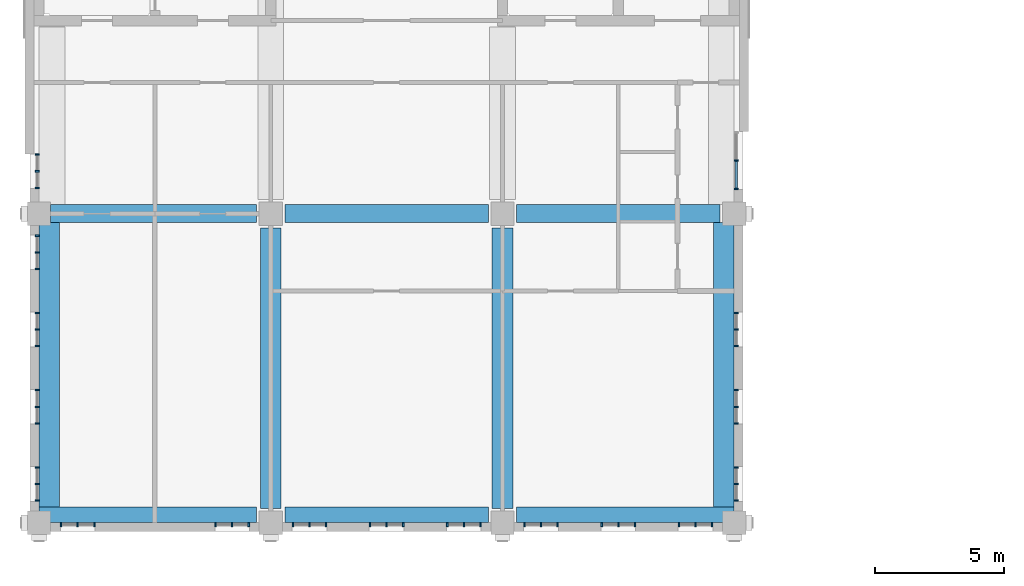
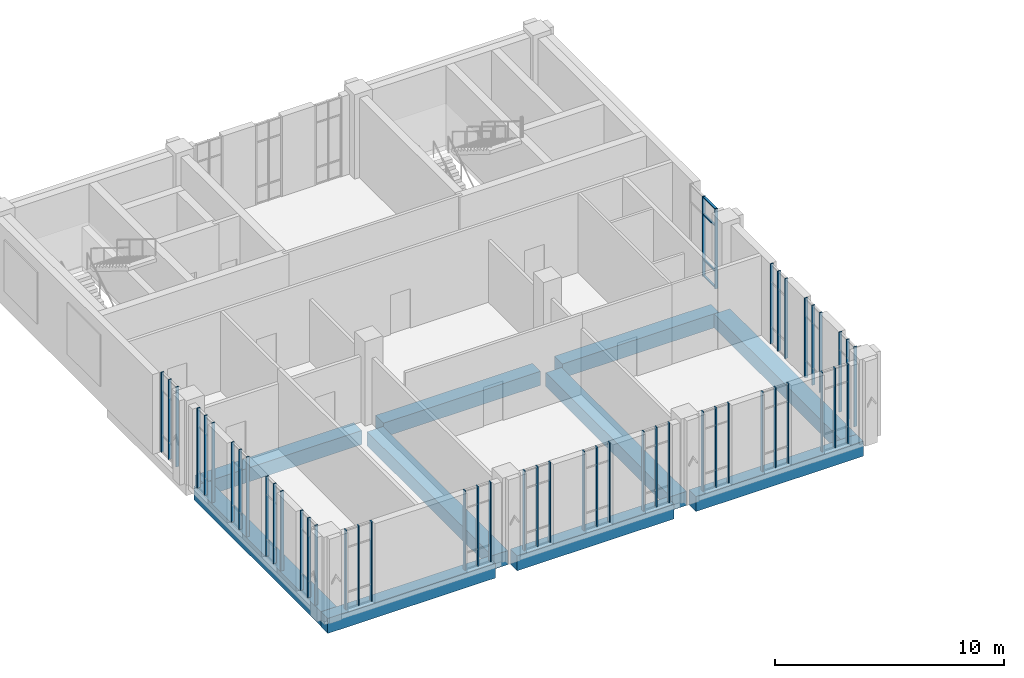
# One storey, part 4 of 25: 54 members, 10 beams, 17 elements without a shape of their own.
"""IFC4 building model written with IfcOpenShell, lengths in metres."""

import ifcopenshell
import ifcopenshell.guid

model = None  # the IFC model being written
_history = None  # IfcOwnerHistory: only IFC2X3 demands one
_inside = {}  # id of a spatial element -> (the spatial element, [elements in it])
_under = {}  # id of a project, library or spatial element -> (it, [spatial elements below it])
_declared = {}  # id of a project -> (the project, [libraries it declares])
_typed = {}  # id of a type object -> (the type object, [elements of that type])
_made_of = {}  # id of a material, layer set ... -> (it, [elements and type objects made of it])


def new_model(schema):
    """Start an empty IFC model of exactly this schema.

    Asked for "IFC4X3", IfcOpenShell would pick the latest addendum, in which some entities
    have other attributes; the version numbers below select the first issue.
    IFC2X3 requires an IfcOwnerHistory on every rooted entity: one is made here for all.
    """
    global model, _history
    if schema == "IFC4X3":
        model = ifcopenshell.file(schema_version=(4, 3, 0, 0))
    else:
        model = ifcopenshell.file(schema=schema)
    _inside.clear()
    _under.clear()
    _declared.clear()
    _typed.clear()
    _made_of.clear()
    _history = None
    if model.schema == "IFC2X3":
        org = make("IfcOrganization", Name="unknown")
        user = make(
            "IfcPersonAndOrganization",
            ThePerson=make("IfcPerson", FamilyName="unknown"),
            TheOrganization=org,
        )
        app = make(
            "IfcApplication",
            ApplicationDeveloper=org,
            Version="unknown",
            ApplicationFullName="unknown",
            ApplicationIdentifier="unknown",
        )
        _history = make(
            "IfcOwnerHistory",
            OwningUser=user,
            OwningApplication=app,
            ChangeAction="ADDED",
            CreationDate=0,
        )
    return model


def make(cls, **values):
    """One entity of the class cls with the attributes given. An attribute that is None is left unset."""
    return model.create_entity(
        cls, **{name: value for name, value in values.items() if value is not None}
    )


def rooted(cls, **values):
    """An entity with a GlobalId (a new one), such as an element, a storey or a relation."""
    return make(cls, GlobalId=ifcopenshell.guid.new(), OwnerHistory=_history, **values)


def si_unit(unit_type, name, prefix=None):
    """IfcSIUnit, for example si_unit("LENGTHUNIT", "METRE", prefix="MILLI")."""
    return make("IfcSIUnit", UnitType=unit_type, Prefix=prefix, Name=name)


def assignment(units):
    """IfcUnitAssignment: the units of a project."""
    return None if units is None else make("IfcUnitAssignment", Units=units)


def point(xyz):
    """IfcCartesianPoint."""
    return None if xyz is None else make("IfcCartesianPoint", Coordinates=xyz)


def direction(xyz):
    """IfcDirection."""
    return None if xyz is None else make("IfcDirection", DirectionRatios=xyz)


def frame(location, z_axis=None, x_axis=None):
    """IfcAxis2Placement3D, a coordinate frame: its origin and axes. An axis left out is left unset."""
    return make(
        "IfcAxis2Placement3D",
        Location=point(location),
        Axis=direction(z_axis),
        RefDirection=direction(x_axis),
    )


def frame_2d(location, x_axis=None):
    """IfcAxis2Placement2D, a coordinate frame in the plane: its origin and x axis."""
    return make(
        "IfcAxis2Placement2D", Location=point(location), RefDirection=direction(x_axis)
    )


def origin():
    """The frame at (0, 0, 0) with its axes left unset."""
    return frame((0.0, 0.0, 0.0))


def origin_2d():
    """The frame at (0, 0) in the plane with its x axis left unset."""
    return frame_2d((0.0, 0.0))


def place(relative_to, where):
    """IfcLocalPlacement: puts the frame where relative to a parent placement (None: the world)."""
    return make(
        "IfcLocalPlacement", PlacementRelTo=relative_to, RelativePlacement=where
    )


def context(
    kind, dimensions, precision=None, world=None, true_north=None, identifier=None
):
    """IfcGeometricRepresentationContext, for example the 3D "Model" context."""
    return make(
        "IfcGeometricRepresentationContext",
        ContextIdentifier=identifier,
        ContextType=kind,
        CoordinateSpaceDimension=dimensions,
        Precision=precision,
        WorldCoordinateSystem=world,
        TrueNorth=true_north,
    )


def subcontext(parent, identifier, kind, view, scale=None):
    """IfcGeometricRepresentationSubContext, for example "Body" below "Model"."""
    return make(
        "IfcGeometricRepresentationSubContext",
        ContextIdentifier=identifier,
        ContextType=kind,
        ParentContext=parent,
        TargetScale=scale,
        TargetView=view,
    )


def project(units=None, contexts=None):
    """IfcProject with its units and contexts."""
    return rooted(
        "IfcProject",
        Name="project",
        RepresentationContexts=contexts,
        UnitsInContext=assignment(units),
    )


def spatial(cls, under=None, at=None, **own):
    """A site, building, storey or space (cls), placed at a placement, below another one or the project."""
    s = rooted(cls, ObjectPlacement=at, **own)
    if under is not None:
        _under.setdefault(under.id(), (under, []))[1].append(s)
    return s


def profile(cls, at=None, kind="AREA", **sizes):
    """A parametric profile (cls). Its sizes go by their IFC names, for example OverallWidth=200.0."""
    return make(cls, ProfileType=kind, Position=at, **sizes)


def rectangle(**sizes):
    """IfcRectangleProfileDef."""
    return profile("IfcRectangleProfileDef", **sizes)


def extrude(swept, where, along, depth):
    """IfcExtrudedAreaSolid: the profile swept, set in the frame where, extruded along a direction by depth."""
    return make(
        "IfcExtrudedAreaSolid",
        SweptArea=swept,
        Position=where,
        ExtrudedDirection=direction(along),
        Depth=depth,
    )


def shape(context_of_items, identifier, shape_type, items):
    """IfcShapeRepresentation: the items that make up one representation, for example the "Body"."""
    return make(
        "IfcShapeRepresentation",
        ContextOfItems=context_of_items,
        RepresentationIdentifier=identifier,
        RepresentationType=shape_type,
        Items=items,
    )


def material(Name=None, Category=None):
    """IfcMaterial."""
    return make("IfcMaterial", Name=Name, Category=Category)


def layer(
    of_material, thickness, ventilated=None, Name=None, Category=None, Priority=None
):
    """IfcMaterialLayer: one layer of a wall or slab, of a material (None: an air gap)."""
    return make(
        "IfcMaterialLayer",
        Material=of_material,
        LayerThickness=thickness,
        IsVentilated=ventilated,
        Name=Name,
        Category=Category,
        Priority=Priority,
    )


def layer_set(layers, Name=None):
    """IfcMaterialLayerSet."""
    return make("IfcMaterialLayerSet", MaterialLayers=layers, LayerSetName=Name)


def material_profile(
    of_material, cross_section, Name=None, Category=None, Priority=None
):
    """IfcMaterialProfile: a cross section and its material."""
    return make(
        "IfcMaterialProfile",
        Name=Name,
        Material=of_material,
        Profile=cross_section,
        Priority=Priority,
        Category=Category,
    )


def profile_set(profiles, Name=None, composite=None):
    """IfcMaterialProfileSet."""
    return make(
        "IfcMaterialProfileSet",
        Name=Name,
        MaterialProfiles=profiles,
        CompositeProfile=composite,
    )


def made_of(thing, what):
    """Note that an element or type object is made of a material, layer set ...; save() writes the relation."""
    if what is not None:
        _made_of.setdefault(what.id(), (what, []))[1].append(thing)
    return thing


def type_object(cls, material=None, **own):
    """A type object (cls), such as IfcWallType, which elements share."""
    return made_of(rooted(cls, **own), material)


def element(
    cls,
    number,
    at=None,
    inside=None,
    cuts=None,
    type_object=None,
    material=None,
    context=None,
    identifier="Body",
    shape_type=None,
    held_by="IfcProductDefinitionShape",
    body=None,
    shapes=None,
    **own,
):
    """One element of the class cls, such as IfcWall. Its Tag is "e" and its number.

    at: its placement. inside: the storey or other place that contains it. cuts: it is an
    opening in that element (IfcRelVoidsElement). A single representation is given by context,
    identifier, shape_type and body (its items); several are given by shapes. held_by: the class
    of the entity that holds the representations. save() writes the other relations.
    """
    e = rooted(cls, Tag="e%d" % number, ObjectPlacement=at, **own)
    if body is not None:
        shapes = [shape(context, identifier, shape_type, body)]
    if shapes is not None:
        e.Representation = make(held_by, Representations=shapes)
    if inside is not None:
        _inside.setdefault(inside.id(), (inside, []))[1].append(e)
    if cuts is not None:
        rooted(
            "IfcRelVoidsElement", RelatingBuildingElement=cuts, RelatedOpeningElement=e
        )
    if type_object is not None:
        _typed.setdefault(type_object.id(), (type_object, []))[1].append(e)
    return made_of(e, material)


def aggregate(whole, parts):
    """IfcRelAggregates: a whole, such as a stair, and the parts it consists of."""
    return rooted("IfcRelAggregates", RelatingObject=whole, RelatedObjects=parts)


def save(model, path):
    """Write the relations noted so far, then the file.

    IfcRelAggregates (storeys below a building ...), IfcRelContainedInSpatialStructure (elements
    in a storey), IfcRelDefinesByType, IfcRelAssociatesMaterial and IfcRelDeclares: one each for
    every whole, place, type object, material and project.
    """
    for whole, parts in _under.values():
        aggregate(whole, parts)
    for where, things in _inside.values():
        rooted(
            "IfcRelContainedInSpatialStructure",
            RelatedElements=things,
            RelatingStructure=where,
        )
    for kind, things in _typed.values():
        rooted("IfcRelDefinesByType", RelatedObjects=things, RelatingType=kind)
    for what, things in _made_of.values():
        rooted("IfcRelAssociatesMaterial", RelatedObjects=things, RelatingMaterial=what)
    for by, libraries in _declared.values():
        rooted("IfcRelDeclares", RelatingContext=by, RelatedDefinitions=libraries)
    model.write(path)


model = new_model("IFC4")

# Units and contexts
model_context = context("Model", 3, precision=1e-05, world=origin(), true_north=direction((0.0, 1.0)))
body_context = subcontext(model_context, "Body", "Model", "MODEL_VIEW")
ifc_project = project(units=[si_unit("LENGTHUNIT", "METRE"), si_unit("AREAUNIT", "SQUARE_METRE"), si_unit("VOLUMEUNIT", "CUBIC_METRE"), si_unit("PLANEANGLEUNIT", "RADIAN"), si_unit("MASSUNIT", "GRAM", prefix="KILO")], contexts=[model_context])

# Site, building, storey
site_placement = place(None, origin())
site = spatial("IfcSite", under=ifc_project, at=site_placement, CompositionType="ELEMENT")
building_placement = place(site_placement, origin())
building = spatial("IfcBuilding", under=site, at=building_placement, Name="Aurelan Courthouse", CompositionType="ELEMENT")
storey_placement = place(building_placement, frame((0.0, 0.0, 44.39990234375)))
storey = spatial("IfcBuildingStorey", under=building, at=storey_placement, Name="L08", CompositionType="ELEMENT", Elevation=44.39990234375)

# Curtain wall, members
ifc_material_1 = material(Name="Bronze-finished aluminium and glass", Category="aluminium")
ifc_layer_1 = layer(ifc_material_1, 0.14990234375)
ifc_layer_set_1 = layer_set([ifc_layer_1], Name="Bronze-finished aluminium and glass")
curtain_wall_type_1 = type_object("IfcCurtainWallType", Name="Curtain wall 1350 x 4250", PredefinedType="NOTDEFINED", material=ifc_layer_set_1)
curtain_wall_1_placement = place(storey_placement, origin())
curtain_wall_1 = element("IfcCurtainWall", 1, at=curtain_wall_1_placement, inside=storey, type_object=curtain_wall_type_1, Name="Curtain wall CW-V5-L08-S01", PredefinedType="NOTDEFINED")
ifc_material_2 = material(Name="Bronze-finished aluminium", Category="aluminium")
ifc_material_profile_1 = material_profile(ifc_material_2, rectangle(XDim=0.14990234375, YDim=0.06005859375, at=origin_2d()), Name="Bronze mullion 60 x 150")
ifc_profile_set_1 = profile_set([ifc_material_profile_1], Name="Bronze-finished aluminium")
member_type_1 = type_object("IfcMemberType", Name="Curtain wall mullion 60 x 150", PredefinedType="MULLION", material=ifc_profile_set_1)
member_1_placement = place(storey_placement, frame((0.85498046875, -0.074951171875, 0.0), z_axis=(0.0, 0.0, 1.0), x_axis=(0.0, 1.0, 0.0)))
member_1 = element("IfcMember", 2, at=member_1_placement, type_object=member_type_1, Name="CW-V5-L08-S01 mullion 1", PredefinedType="MULLION", context=body_context, shape_type="SweptSolid", body=[
    extrude(rectangle(XDim=0.14990234375, YDim=0.06005859375, at=origin_2d()), origin(), (0.0, 0.0, 1.0), 4.25),
])
member_2_placement = place(storey_placement, frame((1.5, -0.074951171875, 0.0), z_axis=(0.0, 0.0, 1.0), x_axis=(0.0, 1.0, 0.0)))
member_2 = element("IfcMember", 3, at=member_2_placement, type_object=member_type_1, Name="CW-V5-L08-S01 mullion 2", PredefinedType="MULLION", context=body_context, shape_type="SweptSolid", body=[
    extrude(rectangle(XDim=0.14990234375, YDim=0.06005859375, at=origin_2d()), origin(), (0.0, 0.0, 1.0), 4.25),
])
member_3_placement = place(storey_placement, frame((2.14501953125, -0.074951171875, 0.0), z_axis=(0.0, 0.0, 1.0), x_axis=(0.0, 1.0, 0.0)))
member_3 = element("IfcMember", 4, at=member_3_placement, type_object=member_type_1, Name="CW-V5-L08-S01 mullion 3", PredefinedType="MULLION", context=body_context, shape_type="SweptSolid", body=[
    extrude(rectangle(XDim=0.14990234375, YDim=0.06005859375, at=origin_2d()), origin(), (0.0, 0.0, 1.0), 4.25),
])
aggregate(curtain_wall_1, [member_1, member_2, member_3])

curtain_wall_2_placement = place(storey_placement, origin())
curtain_wall_2 = element("IfcCurtainWall", 5, at=curtain_wall_2_placement, inside=storey, type_object=curtain_wall_type_1, Name="Curtain wall CW-V5-L08-S02", PredefinedType="NOTDEFINED")
member_4_placement = place(storey_placement, frame((6.85498046875, -0.074951171875, 0.0), z_axis=(0.0, 0.0, 1.0), x_axis=(0.0, 1.0, 0.0)))
member_4 = element("IfcMember", 6, at=member_4_placement, type_object=member_type_1, Name="CW-V5-L08-S02 mullion 1", PredefinedType="MULLION", context=body_context, shape_type="SweptSolid", body=[
    extrude(rectangle(XDim=0.14990234375, YDim=0.06005859375, at=origin_2d()), origin(), (0.0, 0.0, 1.0), 4.25),
])
member_5_placement = place(storey_placement, frame((7.5, -0.074951171875, 0.0), z_axis=(0.0, 0.0, 1.0), x_axis=(0.0, 1.0, 0.0)))
member_5 = element("IfcMember", 7, at=member_5_placement, type_object=member_type_1, Name="CW-V5-L08-S02 mullion 2", PredefinedType="MULLION", context=body_context, shape_type="SweptSolid", body=[
    extrude(rectangle(XDim=0.14990234375, YDim=0.06005859375, at=origin_2d()), origin(), (0.0, 0.0, 1.0), 4.25),
])
member_6_placement = place(storey_placement, frame((8.14501953125, -0.074951171875, 0.0), z_axis=(0.0, 0.0, 1.0), x_axis=(0.0, 1.0, 0.0)))
member_6 = element("IfcMember", 8, at=member_6_placement, type_object=member_type_1, Name="CW-V5-L08-S02 mullion 3", PredefinedType="MULLION", context=body_context, shape_type="SweptSolid", body=[
    extrude(rectangle(XDim=0.14990234375, YDim=0.06005859375, at=origin_2d()), origin(), (0.0, 0.0, 1.0), 4.25),
])
aggregate(curtain_wall_2, [member_4, member_5, member_6])

curtain_wall_3_placement = place(storey_placement, origin())
curtain_wall_3 = element("IfcCurtainWall", 9, at=curtain_wall_3_placement, inside=storey, type_object=curtain_wall_type_1, Name="Curtain wall CW-V5-L08-S03", PredefinedType="NOTDEFINED")
member_7_placement = place(storey_placement, frame((9.85498046875, -0.074951171875, 0.0), z_axis=(0.0, 0.0, 1.0), x_axis=(0.0, 1.0, 0.0)))
member_7 = element("IfcMember", 10, at=member_7_placement, type_object=member_type_1, Name="CW-V5-L08-S03 mullion 1", PredefinedType="MULLION", context=body_context, shape_type="SweptSolid", body=[
    extrude(rectangle(XDim=0.14990234375, YDim=0.06005859375, at=origin_2d()), origin(), (0.0, 0.0, 1.0), 4.25),
])
member_8_placement = place(storey_placement, frame((10.5, -0.074951171875, 0.0), z_axis=(0.0, 0.0, 1.0), x_axis=(0.0, 1.0, 0.0)))
member_8 = element("IfcMember", 11, at=member_8_placement, type_object=member_type_1, Name="CW-V5-L08-S03 mullion 2", PredefinedType="MULLION", context=body_context, shape_type="SweptSolid", body=[
    extrude(rectangle(XDim=0.14990234375, YDim=0.06005859375, at=origin_2d()), origin(), (0.0, 0.0, 1.0), 4.25),
])
member_9_placement = place(storey_placement, frame((11.14501953125, -0.074951171875, 0.0), z_axis=(0.0, 0.0, 1.0), x_axis=(0.0, 1.0, 0.0)))
member_9 = element("IfcMember", 12, at=member_9_placement, type_object=member_type_1, Name="CW-V5-L08-S03 mullion 3", PredefinedType="MULLION", context=body_context, shape_type="SweptSolid", body=[
    extrude(rectangle(XDim=0.14990234375, YDim=0.06005859375, at=origin_2d()), origin(), (0.0, 0.0, 1.0), 4.25),
])
aggregate(curtain_wall_3, [member_7, member_8, member_9])

curtain_wall_4_placement = place(storey_placement, origin())
curtain_wall_4 = element("IfcCurtainWall", 13, at=curtain_wall_4_placement, inside=storey, type_object=curtain_wall_type_1, Name="Curtain wall CW-V5-L08-S04", PredefinedType="NOTDEFINED")
member_10_placement = place(storey_placement, frame((12.85498046875, -0.074951171875, 0.0), z_axis=(0.0, 0.0, 1.0), x_axis=(0.0, 1.0, 0.0)))
member_10 = element("IfcMember", 14, at=member_10_placement, type_object=member_type_1, Name="CW-V5-L08-S04 mullion 1", PredefinedType="MULLION", context=body_context, shape_type="SweptSolid", body=[
    extrude(rectangle(XDim=0.14990234375, YDim=0.06005859375, at=origin_2d()), origin(), (0.0, 0.0, 1.0), 4.25),
])
member_11_placement = place(storey_placement, frame((13.5, -0.074951171875, 0.0), z_axis=(0.0, 0.0, 1.0), x_axis=(0.0, 1.0, 0.0)))
member_11 = element("IfcMember", 15, at=member_11_placement, type_object=member_type_1, Name="CW-V5-L08-S04 mullion 2", PredefinedType="MULLION", context=body_context, shape_type="SweptSolid", body=[
    extrude(rectangle(XDim=0.14990234375, YDim=0.06005859375, at=origin_2d()), origin(), (0.0, 0.0, 1.0), 4.25),
])
member_12_placement = place(storey_placement, frame((14.14501953125, -0.074951171875, 0.0), z_axis=(0.0, 0.0, 1.0), x_axis=(0.0, 1.0, 0.0)))
member_12 = element("IfcMember", 16, at=member_12_placement, type_object=member_type_1, Name="CW-V5-L08-S04 mullion 3", PredefinedType="MULLION", context=body_context, shape_type="SweptSolid", body=[
    extrude(rectangle(XDim=0.14990234375, YDim=0.06005859375, at=origin_2d()), origin(), (0.0, 0.0, 1.0), 4.25),
])
aggregate(curtain_wall_4, [member_10, member_11, member_12])

curtain_wall_5_placement = place(storey_placement, origin())
curtain_wall_5 = element("IfcCurtainWall", 17, at=curtain_wall_5_placement, inside=storey, type_object=curtain_wall_type_1, Name="Curtain wall CW-V5-L08-S05", PredefinedType="NOTDEFINED")
member_13_placement = place(storey_placement, frame((15.85498046875, -0.074951171875, 0.0), z_axis=(0.0, 0.0, 1.0), x_axis=(0.0, 1.0, 0.0)))
member_13 = element("IfcMember", 18, at=member_13_placement, type_object=member_type_1, Name="CW-V5-L08-S05 mullion 1", PredefinedType="MULLION", context=body_context, shape_type="SweptSolid", body=[
    extrude(rectangle(XDim=0.14990234375, YDim=0.06005859375, at=origin_2d()), origin(), (0.0, 0.0, 1.0), 4.25),
])
member_14_placement = place(storey_placement, frame((16.5, -0.074951171875, 0.0), z_axis=(0.0, 0.0, 1.0), x_axis=(0.0, 1.0, 0.0)))
member_14 = element("IfcMember", 19, at=member_14_placement, type_object=member_type_1, Name="CW-V5-L08-S05 mullion 2", PredefinedType="MULLION", context=body_context, shape_type="SweptSolid", body=[
    extrude(rectangle(XDim=0.14990234375, YDim=0.06005859375, at=origin_2d()), origin(), (0.0, 0.0, 1.0), 4.25),
])
member_15_placement = place(storey_placement, frame((17.14501953125, -0.074951171875, 0.0), z_axis=(0.0, 0.0, 1.0), x_axis=(0.0, 1.0, 0.0)))
member_15 = element("IfcMember", 20, at=member_15_placement, type_object=member_type_1, Name="CW-V5-L08-S05 mullion 3", PredefinedType="MULLION", context=body_context, shape_type="SweptSolid", body=[
    extrude(rectangle(XDim=0.14990234375, YDim=0.06005859375, at=origin_2d()), origin(), (0.0, 0.0, 1.0), 4.25),
])
aggregate(curtain_wall_5, [member_13, member_14, member_15])

curtain_wall_6_placement = place(storey_placement, origin())
curtain_wall_6 = element("IfcCurtainWall", 21, at=curtain_wall_6_placement, inside=storey, type_object=curtain_wall_type_1, Name="Curtain wall CW-V5-L08-S06", PredefinedType="NOTDEFINED")
member_16_placement = place(storey_placement, frame((18.85498046875, -0.074951171875, 0.0), z_axis=(0.0, 0.0, 1.0), x_axis=(0.0, 1.0, 0.0)))
member_16 = element("IfcMember", 22, at=member_16_placement, type_object=member_type_1, Name="CW-V5-L08-S06 mullion 1", PredefinedType="MULLION", context=body_context, shape_type="SweptSolid", body=[
    extrude(rectangle(XDim=0.14990234375, YDim=0.06005859375, at=origin_2d()), origin(), (0.0, 0.0, 1.0), 4.25),
])
member_17_placement = place(storey_placement, frame((19.5, -0.074951171875, 0.0), z_axis=(0.0, 0.0, 1.0), x_axis=(0.0, 1.0, 0.0)))
member_17 = element("IfcMember", 23, at=member_17_placement, type_object=member_type_1, Name="CW-V5-L08-S06 mullion 2", PredefinedType="MULLION", context=body_context, shape_type="SweptSolid", body=[
    extrude(rectangle(XDim=0.14990234375, YDim=0.06005859375, at=origin_2d()), origin(), (0.0, 0.0, 1.0), 4.25),
])
member_18_placement = place(storey_placement, frame((20.14501953125, -0.074951171875, 0.0), z_axis=(0.0, 0.0, 1.0), x_axis=(0.0, 1.0, 0.0)))
member_18 = element("IfcMember", 24, at=member_18_placement, type_object=member_type_1, Name="CW-V5-L08-S06 mullion 3", PredefinedType="MULLION", context=body_context, shape_type="SweptSolid", body=[
    extrude(rectangle(XDim=0.14990234375, YDim=0.06005859375, at=origin_2d()), origin(), (0.0, 0.0, 1.0), 4.25),
])
aggregate(curtain_wall_6, [member_16, member_17, member_18])

curtain_wall_7_placement = place(storey_placement, origin())
curtain_wall_7 = element("IfcCurtainWall", 25, at=curtain_wall_7_placement, inside=storey, type_object=curtain_wall_type_1, Name="Curtain wall CW-V5-L08-S07", PredefinedType="NOTDEFINED")
member_19_placement = place(storey_placement, frame((21.85498046875, -0.074951171875, 0.0), z_axis=(0.0, 0.0, 1.0), x_axis=(0.0, 1.0, 0.0)))
member_19 = element("IfcMember", 26, at=member_19_placement, type_object=member_type_1, Name="CW-V5-L08-S07 mullion 1", PredefinedType="MULLION", context=body_context, shape_type="SweptSolid", body=[
    extrude(rectangle(XDim=0.14990234375, YDim=0.06005859375, at=origin_2d()), origin(), (0.0, 0.0, 1.0), 4.25),
])
member_20_placement = place(storey_placement, frame((22.5, -0.074951171875, 0.0), z_axis=(0.0, 0.0, 1.0), x_axis=(0.0, 1.0, 0.0)))
member_20 = element("IfcMember", 27, at=member_20_placement, type_object=member_type_1, Name="CW-V5-L08-S07 mullion 2", PredefinedType="MULLION", context=body_context, shape_type="SweptSolid", body=[
    extrude(rectangle(XDim=0.14990234375, YDim=0.06005859375, at=origin_2d()), origin(), (0.0, 0.0, 1.0), 4.25),
])
member_21_placement = place(storey_placement, frame((23.14501953125, -0.074951171875, 0.0), z_axis=(0.0, 0.0, 1.0), x_axis=(0.0, 1.0, 0.0)))
member_21 = element("IfcMember", 28, at=member_21_placement, type_object=member_type_1, Name="CW-V5-L08-S07 mullion 3", PredefinedType="MULLION", context=body_context, shape_type="SweptSolid", body=[
    extrude(rectangle(XDim=0.14990234375, YDim=0.06005859375, at=origin_2d()), origin(), (0.0, 0.0, 1.0), 4.25),
])
aggregate(curtain_wall_7, [member_19, member_20, member_21])

curtain_wall_8_placement = place(storey_placement, origin())
curtain_wall_8 = element("IfcCurtainWall", 29, at=curtain_wall_8_placement, inside=storey, type_object=curtain_wall_type_1, Name="Curtain wall CW-V5-L08-S08", PredefinedType="NOTDEFINED")
member_22_placement = place(storey_placement, frame((24.85498046875, -0.074951171875, 0.0), z_axis=(0.0, 0.0, 1.0), x_axis=(0.0, 1.0, 0.0)))
member_22 = element("IfcMember", 30, at=member_22_placement, type_object=member_type_1, Name="CW-V5-L08-S08 mullion 1", PredefinedType="MULLION", context=body_context, shape_type="SweptSolid", body=[
    extrude(rectangle(XDim=0.14990234375, YDim=0.06005859375, at=origin_2d()), origin(), (0.0, 0.0, 1.0), 4.25),
])
member_23_placement = place(storey_placement, frame((25.5, -0.074951171875, 0.0), z_axis=(0.0, 0.0, 1.0), x_axis=(0.0, 1.0, 0.0)))
member_23 = element("IfcMember", 31, at=member_23_placement, type_object=member_type_1, Name="CW-V5-L08-S08 mullion 2", PredefinedType="MULLION", context=body_context, shape_type="SweptSolid", body=[
    extrude(rectangle(XDim=0.14990234375, YDim=0.06005859375, at=origin_2d()), origin(), (0.0, 0.0, 1.0), 4.25),
])
member_24_placement = place(storey_placement, frame((26.14501953125, -0.074951171875, 0.0), z_axis=(0.0, 0.0, 1.0), x_axis=(0.0, 1.0, 0.0)))
member_24 = element("IfcMember", 32, at=member_24_placement, type_object=member_type_1, Name="CW-V5-L08-S08 mullion 3", PredefinedType="MULLION", context=body_context, shape_type="SweptSolid", body=[
    extrude(rectangle(XDim=0.14990234375, YDim=0.06005859375, at=origin_2d()), origin(), (0.0, 0.0, 1.0), 4.25),
])
aggregate(curtain_wall_8, [member_22, member_23, member_24])

curtain_wall_9_placement = place(storey_placement, origin())
curtain_wall_9 = element("IfcCurtainWall", 33, at=curtain_wall_9_placement, inside=storey, type_object=curtain_wall_type_1, Name="Curtain wall CW-V5-L08-E01", PredefinedType="NOTDEFINED")
member_25_placement = place(storey_placement, frame((27.074951171875, 0.85498046875, 0.0), z_axis=(0.0, 0.0, 1.0), x_axis=(-1.0, 0.0, 0.0)))
member_25 = element("IfcMember", 34, at=member_25_placement, type_object=member_type_1, Name="CW-V5-L08-E01 mullion 1", PredefinedType="MULLION", context=body_context, shape_type="SweptSolid", body=[
    extrude(rectangle(XDim=0.14990234375, YDim=0.06005859375, at=origin_2d()), origin(), (0.0, 0.0, 1.0), 4.25),
])
member_26_placement = place(storey_placement, frame((27.074951171875, 1.5, 0.0), z_axis=(0.0, 0.0, 1.0), x_axis=(-1.0, 0.0, 0.0)))
member_26 = element("IfcMember", 35, at=member_26_placement, type_object=member_type_1, Name="CW-V5-L08-E01 mullion 2", PredefinedType="MULLION", context=body_context, shape_type="SweptSolid", body=[
    extrude(rectangle(XDim=0.14990234375, YDim=0.06005859375, at=origin_2d()), origin(), (0.0, 0.0, 1.0), 4.25),
])
member_27_placement = place(storey_placement, frame((27.074951171875, 2.14501953125, 0.0), z_axis=(0.0, 0.0, 1.0), x_axis=(-1.0, 0.0, 0.0)))
member_27 = element("IfcMember", 36, at=member_27_placement, type_object=member_type_1, Name="CW-V5-L08-E01 mullion 3", PredefinedType="MULLION", context=body_context, shape_type="SweptSolid", body=[
    extrude(rectangle(XDim=0.14990234375, YDim=0.06005859375, at=origin_2d()), origin(), (0.0, 0.0, 1.0), 4.25),
])
aggregate(curtain_wall_9, [member_25, member_26, member_27])

curtain_wall_10_placement = place(storey_placement, origin())
curtain_wall_10 = element("IfcCurtainWall", 37, at=curtain_wall_10_placement, inside=storey, type_object=curtain_wall_type_1, Name="Curtain wall CW-V5-L08-E02", PredefinedType="NOTDEFINED")
member_28_placement = place(storey_placement, frame((27.074951171875, 3.85498046875, 0.0), z_axis=(0.0, 0.0, 1.0), x_axis=(-1.0, 0.0, 0.0)))
member_28 = element("IfcMember", 38, at=member_28_placement, type_object=member_type_1, Name="CW-V5-L08-E02 mullion 1", PredefinedType="MULLION", context=body_context, shape_type="SweptSolid", body=[
    extrude(rectangle(XDim=0.14990234375, YDim=0.06005859375, at=origin_2d()), origin(), (0.0, 0.0, 1.0), 4.25),
])
member_29_placement = place(storey_placement, frame((27.074951171875, 4.5, 0.0), z_axis=(0.0, 0.0, 1.0), x_axis=(-1.0, 0.0, 0.0)))
member_29 = element("IfcMember", 39, at=member_29_placement, type_object=member_type_1, Name="CW-V5-L08-E02 mullion 2", PredefinedType="MULLION", context=body_context, shape_type="SweptSolid", body=[
    extrude(rectangle(XDim=0.14990234375, YDim=0.06005859375, at=origin_2d()), origin(), (0.0, 0.0, 1.0), 4.25),
])
member_30_placement = place(storey_placement, frame((27.074951171875, 5.14501953125, 0.0), z_axis=(0.0, 0.0, 1.0), x_axis=(-1.0, 0.0, 0.0)))
member_30 = element("IfcMember", 40, at=member_30_placement, type_object=member_type_1, Name="CW-V5-L08-E02 mullion 3", PredefinedType="MULLION", context=body_context, shape_type="SweptSolid", body=[
    extrude(rectangle(XDim=0.14990234375, YDim=0.06005859375, at=origin_2d()), origin(), (0.0, 0.0, 1.0), 4.25),
])
aggregate(curtain_wall_10, [member_28, member_29, member_30])

curtain_wall_11_placement = place(storey_placement, origin())
curtain_wall_11 = element("IfcCurtainWall", 41, at=curtain_wall_11_placement, inside=storey, type_object=curtain_wall_type_1, Name="Curtain wall CW-V5-L08-E03", PredefinedType="NOTDEFINED")
member_31_placement = place(storey_placement, frame((27.074951171875, 6.85498046875, 0.0), z_axis=(0.0, 0.0, 1.0), x_axis=(-1.0, 0.0, 0.0)))
member_31 = element("IfcMember", 42, at=member_31_placement, type_object=member_type_1, Name="CW-V5-L08-E03 mullion 1", PredefinedType="MULLION", context=body_context, shape_type="SweptSolid", body=[
    extrude(rectangle(XDim=0.14990234375, YDim=0.06005859375, at=origin_2d()), origin(), (0.0, 0.0, 1.0), 4.25),
])
member_32_placement = place(storey_placement, frame((27.074951171875, 7.5, 0.0), z_axis=(0.0, 0.0, 1.0), x_axis=(-1.0, 0.0, 0.0)))
member_32 = element("IfcMember", 43, at=member_32_placement, type_object=member_type_1, Name="CW-V5-L08-E03 mullion 2", PredefinedType="MULLION", context=body_context, shape_type="SweptSolid", body=[
    extrude(rectangle(XDim=0.14990234375, YDim=0.06005859375, at=origin_2d()), origin(), (0.0, 0.0, 1.0), 4.25),
])
member_33_placement = place(storey_placement, frame((27.074951171875, 8.14501953125, 0.0), z_axis=(0.0, 0.0, 1.0), x_axis=(-1.0, 0.0, 0.0)))
member_33 = element("IfcMember", 44, at=member_33_placement, type_object=member_type_1, Name="CW-V5-L08-E03 mullion 3", PredefinedType="MULLION", context=body_context, shape_type="SweptSolid", body=[
    extrude(rectangle(XDim=0.14990234375, YDim=0.06005859375, at=origin_2d()), origin(), (0.0, 0.0, 1.0), 4.25),
])
aggregate(curtain_wall_11, [member_31, member_32, member_33])

ifc_layer_2 = layer(ifc_material_1, 0.14990234375)
ifc_layer_set_2 = layer_set([ifc_layer_2], Name="Bronze-finished aluminium and glass")
curtain_wall_type_2 = type_object("IfcCurtainWallType", Name="Curtain wall 2250 x 4250", PredefinedType="NOTDEFINED", material=ifc_layer_set_2)
curtain_wall_12_placement = place(storey_placement, origin())
curtain_wall_12 = element("IfcCurtainWall", 45, at=curtain_wall_12_placement, inside=storey, type_object=curtain_wall_type_2, Name="Curtain wall CW-V5-L08-E04", PredefinedType="NOTDEFINED")
member_34_placement = place(storey_placement, frame((27.074951171875, 12.967529296875, 0.0), z_axis=(0.0, 0.0, 1.0), x_axis=(-1.0, 0.0, 0.0)))
member_34 = element("IfcMember", 46, at=member_34_placement, type_object=member_type_1, Name="CW-V5-L08-E04 mullion 1", PredefinedType="MULLION", context=body_context, shape_type="SweptSolid", body=[
    extrude(rectangle(XDim=0.14990234375, YDim=0.06005859375, at=origin_2d()), origin(), (0.0, 0.0, 1.0), 4.25),
])
member_35_placement = place(storey_placement, frame((27.074951171875, 14.0625, 0.0), z_axis=(0.0, 0.0, 1.0), x_axis=(-1.0, 0.0, 0.0)))
member_35 = element("IfcMember", 47, at=member_35_placement, type_object=member_type_1, Name="CW-V5-L08-E04 mullion 2", PredefinedType="MULLION", context=body_context, shape_type="SweptSolid", body=[
    extrude(rectangle(XDim=0.14990234375, YDim=0.06005859375, at=origin_2d()), origin(), (0.0, 0.0, 1.0), 4.25),
])

curtain_wall_13_placement = place(storey_placement, origin())
curtain_wall_13 = element("IfcCurtainWall", 48, at=curtain_wall_13_placement, inside=storey, type_object=curtain_wall_type_1, Name="Curtain wall CW-V5-L08-W01", PredefinedType="NOTDEFINED")
member_36_placement = place(storey_placement, frame((-0.074951171875, 0.85498046875, 0.0), z_axis=(0.0, 0.0, 1.0), x_axis=(-1.0, 0.0, 0.0)))
member_36 = element("IfcMember", 49, at=member_36_placement, type_object=member_type_1, Name="CW-V5-L08-W01 mullion 1", PredefinedType="MULLION", context=body_context, shape_type="SweptSolid", body=[
    extrude(rectangle(XDim=0.14990234375, YDim=0.06005859375, at=origin_2d()), origin(), (0.0, 0.0, 1.0), 4.25),
])
member_37_placement = place(storey_placement, frame((-0.074951171875, 1.5, 0.0), z_axis=(0.0, 0.0, 1.0), x_axis=(-1.0, 0.0, 0.0)))
member_37 = element("IfcMember", 50, at=member_37_placement, type_object=member_type_1, Name="CW-V5-L08-W01 mullion 2", PredefinedType="MULLION", context=body_context, shape_type="SweptSolid", body=[
    extrude(rectangle(XDim=0.14990234375, YDim=0.06005859375, at=origin_2d()), origin(), (0.0, 0.0, 1.0), 4.25),
])
member_38_placement = place(storey_placement, frame((-0.074951171875, 2.14501953125, 0.0), z_axis=(0.0, 0.0, 1.0), x_axis=(-1.0, 0.0, 0.0)))
member_38 = element("IfcMember", 51, at=member_38_placement, type_object=member_type_1, Name="CW-V5-L08-W01 mullion 3", PredefinedType="MULLION", context=body_context, shape_type="SweptSolid", body=[
    extrude(rectangle(XDim=0.14990234375, YDim=0.06005859375, at=origin_2d()), origin(), (0.0, 0.0, 1.0), 4.25),
])
aggregate(curtain_wall_13, [member_36, member_37, member_38])

curtain_wall_14_placement = place(storey_placement, origin())
curtain_wall_14 = element("IfcCurtainWall", 52, at=curtain_wall_14_placement, inside=storey, type_object=curtain_wall_type_1, Name="Curtain wall CW-V5-L08-W02", PredefinedType="NOTDEFINED")
member_39_placement = place(storey_placement, frame((-0.074951171875, 3.85498046875, 0.0), z_axis=(0.0, 0.0, 1.0), x_axis=(-1.0, 0.0, 0.0)))
member_39 = element("IfcMember", 53, at=member_39_placement, type_object=member_type_1, Name="CW-V5-L08-W02 mullion 1", PredefinedType="MULLION", context=body_context, shape_type="SweptSolid", body=[
    extrude(rectangle(XDim=0.14990234375, YDim=0.06005859375, at=origin_2d()), origin(), (0.0, 0.0, 1.0), 4.25),
])
member_40_placement = place(storey_placement, frame((-0.074951171875, 4.5, 0.0), z_axis=(0.0, 0.0, 1.0), x_axis=(-1.0, 0.0, 0.0)))
member_40 = element("IfcMember", 54, at=member_40_placement, type_object=member_type_1, Name="CW-V5-L08-W02 mullion 2", PredefinedType="MULLION", context=body_context, shape_type="SweptSolid", body=[
    extrude(rectangle(XDim=0.14990234375, YDim=0.06005859375, at=origin_2d()), origin(), (0.0, 0.0, 1.0), 4.25),
])
member_41_placement = place(storey_placement, frame((-0.074951171875, 5.14501953125, 0.0), z_axis=(0.0, 0.0, 1.0), x_axis=(-1.0, 0.0, 0.0)))
member_41 = element("IfcMember", 55, at=member_41_placement, type_object=member_type_1, Name="CW-V5-L08-W02 mullion 3", PredefinedType="MULLION", context=body_context, shape_type="SweptSolid", body=[
    extrude(rectangle(XDim=0.14990234375, YDim=0.06005859375, at=origin_2d()), origin(), (0.0, 0.0, 1.0), 4.25),
])
aggregate(curtain_wall_14, [member_39, member_40, member_41])

curtain_wall_15_placement = place(storey_placement, origin())
curtain_wall_15 = element("IfcCurtainWall", 56, at=curtain_wall_15_placement, inside=storey, type_object=curtain_wall_type_1, Name="Curtain wall CW-V5-L08-W03", PredefinedType="NOTDEFINED")
member_42_placement = place(storey_placement, frame((-0.074951171875, 6.85498046875, 0.0), z_axis=(0.0, 0.0, 1.0), x_axis=(-1.0, 0.0, 0.0)))
member_42 = element("IfcMember", 57, at=member_42_placement, type_object=member_type_1, Name="CW-V5-L08-W03 mullion 1", PredefinedType="MULLION", context=body_context, shape_type="SweptSolid", body=[
    extrude(rectangle(XDim=0.14990234375, YDim=0.06005859375, at=origin_2d()), origin(), (0.0, 0.0, 1.0), 4.25),
])
member_43_placement = place(storey_placement, frame((-0.074951171875, 7.5, 0.0), z_axis=(0.0, 0.0, 1.0), x_axis=(-1.0, 0.0, 0.0)))
member_43 = element("IfcMember", 58, at=member_43_placement, type_object=member_type_1, Name="CW-V5-L08-W03 mullion 2", PredefinedType="MULLION", context=body_context, shape_type="SweptSolid", body=[
    extrude(rectangle(XDim=0.14990234375, YDim=0.06005859375, at=origin_2d()), origin(), (0.0, 0.0, 1.0), 4.25),
])
member_44_placement = place(storey_placement, frame((-0.074951171875, 8.14501953125, 0.0), z_axis=(0.0, 0.0, 1.0), x_axis=(-1.0, 0.0, 0.0)))
member_44 = element("IfcMember", 59, at=member_44_placement, type_object=member_type_1, Name="CW-V5-L08-W03 mullion 3", PredefinedType="MULLION", context=body_context, shape_type="SweptSolid", body=[
    extrude(rectangle(XDim=0.14990234375, YDim=0.06005859375, at=origin_2d()), origin(), (0.0, 0.0, 1.0), 4.25),
])
aggregate(curtain_wall_15, [member_42, member_43, member_44])

curtain_wall_16_placement = place(storey_placement, origin())
curtain_wall_16 = element("IfcCurtainWall", 60, at=curtain_wall_16_placement, inside=storey, type_object=curtain_wall_type_1, Name="Curtain wall CW-V5-L08-W04", PredefinedType="NOTDEFINED")
member_45_placement = place(storey_placement, frame((-0.074951171875, 9.85498046875, 0.0), z_axis=(0.0, 0.0, 1.0), x_axis=(-1.0, 0.0, 0.0)))
member_45 = element("IfcMember", 61, at=member_45_placement, type_object=member_type_1, Name="CW-V5-L08-W04 mullion 1", PredefinedType="MULLION", context=body_context, shape_type="SweptSolid", body=[
    extrude(rectangle(XDim=0.14990234375, YDim=0.06005859375, at=origin_2d()), origin(), (0.0, 0.0, 1.0), 4.25),
])
member_46_placement = place(storey_placement, frame((-0.074951171875, 10.5, 0.0), z_axis=(0.0, 0.0, 1.0), x_axis=(-1.0, 0.0, 0.0)))
member_46 = element("IfcMember", 62, at=member_46_placement, type_object=member_type_1, Name="CW-V5-L08-W04 mullion 2", PredefinedType="MULLION", context=body_context, shape_type="SweptSolid", body=[
    extrude(rectangle(XDim=0.14990234375, YDim=0.06005859375, at=origin_2d()), origin(), (0.0, 0.0, 1.0), 4.25),
])
member_47_placement = place(storey_placement, frame((-0.074951171875, 11.14501953125, 0.0), z_axis=(0.0, 0.0, 1.0), x_axis=(-1.0, 0.0, 0.0)))
member_47 = element("IfcMember", 63, at=member_47_placement, type_object=member_type_1, Name="CW-V5-L08-W04 mullion 3", PredefinedType="MULLION", context=body_context, shape_type="SweptSolid", body=[
    extrude(rectangle(XDim=0.14990234375, YDim=0.06005859375, at=origin_2d()), origin(), (0.0, 0.0, 1.0), 4.25),
])
aggregate(curtain_wall_16, [member_45, member_46, member_47])

curtain_wall_17_placement = place(storey_placement, origin())
curtain_wall_17 = element("IfcCurtainWall", 64, at=curtain_wall_17_placement, inside=storey, type_object=curtain_wall_type_1, Name="Curtain wall CW-V5-L08-W05", PredefinedType="NOTDEFINED")
member_48_placement = place(storey_placement, frame((-0.074951171875, 13.0048828125, 0.0), z_axis=(0.0, 0.0, 1.0), x_axis=(-1.0, 0.0, 0.0)))
member_48 = element("IfcMember", 65, at=member_48_placement, type_object=member_type_1, Name="CW-V5-L08-W05 mullion 1", PredefinedType="MULLION", context=body_context, shape_type="SweptSolid", body=[
    extrude(rectangle(XDim=0.14990234375, YDim=0.06005859375, at=origin_2d()), origin(), (0.0, 0.0, 1.0), 4.25),
])
member_49_placement = place(storey_placement, frame((-0.074951171875, 13.64990234375, 0.0), z_axis=(0.0, 0.0, 1.0), x_axis=(-1.0, 0.0, 0.0)))
member_49 = element("IfcMember", 66, at=member_49_placement, type_object=member_type_1, Name="CW-V5-L08-W05 mullion 2", PredefinedType="MULLION", context=body_context, shape_type="SweptSolid", body=[
    extrude(rectangle(XDim=0.14990234375, YDim=0.06005859375, at=origin_2d()), origin(), (0.0, 0.0, 1.0), 4.25),
])
member_50_placement = place(storey_placement, frame((-0.074951171875, 14.294921875, 0.0), z_axis=(0.0, 0.0, 1.0), x_axis=(-1.0, 0.0, 0.0)))
member_50 = element("IfcMember", 67, at=member_50_placement, type_object=member_type_1, Name="CW-V5-L08-W05 mullion 3", PredefinedType="MULLION", context=body_context, shape_type="SweptSolid", body=[
    extrude(rectangle(XDim=0.14990234375, YDim=0.06005859375, at=origin_2d()), origin(), (0.0, 0.0, 1.0), 4.25),
])
aggregate(curtain_wall_17, [member_48, member_49, member_50])

# Member
ifc_material_profile_2 = material_profile(ifc_material_2, rectangle(XDim=0.10009765625, YDim=0.06005859375, at=origin_2d()), Name="Bronze transom 60 x 100")
ifc_profile_set_2 = profile_set([ifc_material_profile_2], Name="Bronze-finished aluminium")
member_type_2 = type_object("IfcMemberType", Name="Curtain wall transom 60 x 100", PredefinedType="USERDEFINED", material=ifc_profile_set_2)
member_51_placement = place(storey_placement, frame((27.074951171875, 12.99755859375, 0.030029296875), z_axis=(0.0, 1.0, 0.0), x_axis=(-1.0, 0.0, 0.0)))
member_51 = element("IfcMember", 68, at=member_51_placement, type_object=member_type_2, Name="CW-V5-L08-E04 transom 1.1", ObjectType="TRANSOM", PredefinedType="USERDEFINED", context=body_context, shape_type="SweptSolid", body=[
    extrude(rectangle(XDim=0.10009765625, YDim=0.06005859375, at=origin_2d()), origin(), (0.0, 0.0, 1.0), 1.034912109375),
])

member_52_placement = place(storey_placement, frame((27.074951171875, 12.99755859375, 0.900146484375), z_axis=(0.0, 1.0, 0.0), x_axis=(-1.0, 0.0, 0.0)))
member_52 = element("IfcMember", 69, at=member_52_placement, type_object=member_type_2, Name="CW-V5-L08-E04 transom 1.2", ObjectType="TRANSOM", PredefinedType="USERDEFINED", context=body_context, shape_type="SweptSolid", body=[
    extrude(rectangle(XDim=0.10009765625, YDim=0.06005859375, at=origin_2d()), origin(), (0.0, 0.0, 1.0), 1.034912109375),
])

member_53_placement = place(storey_placement, frame((27.074951171875, 12.99755859375, 3.300048828125), z_axis=(0.0, 1.0, 0.0), x_axis=(-1.0, 0.0, 0.0)))
member_53 = element("IfcMember", 70, at=member_53_placement, type_object=member_type_2, Name="CW-V5-L08-E04 transom 1.3", ObjectType="TRANSOM", PredefinedType="USERDEFINED", context=body_context, shape_type="SweptSolid", body=[
    extrude(rectangle(XDim=0.10009765625, YDim=0.06005859375, at=origin_2d()), origin(), (0.0, 0.0, 1.0), 1.034912109375),
])

member_54_placement = place(storey_placement, frame((27.074951171875, 12.99755859375, 4.22021484375), z_axis=(0.0, 1.0, 0.0), x_axis=(-1.0, 0.0, 0.0)))
member_54 = element("IfcMember", 71, at=member_54_placement, type_object=member_type_2, Name="CW-V5-L08-E04 transom 1.4", ObjectType="TRANSOM", PredefinedType="USERDEFINED", context=body_context, shape_type="SweptSolid", body=[
    extrude(rectangle(XDim=0.10009765625, YDim=0.06005859375, at=origin_2d()), origin(), (0.0, 0.0, 1.0), 1.034912109375),
])

aggregate(curtain_wall_12, [member_34, member_35, member_51, member_52, member_53, member_54])

# Beams
ifc_material_3 = material(Name="Concrete C50", Category="concrete")
ifc_material_profile_3 = material_profile(ifc_material_3, rectangle(XDim=0.699951171875, YDim=0.75, at=origin_2d()), Name="RC 700 x 750")
ifc_profile_set_3 = profile_set([ifc_material_profile_3], Name="Concrete C50")
beam_type_1 = type_object("IfcBeamType", Name="PT beam 700 x 750", PredefinedType="BEAM", material=ifc_profile_set_3)
beam_1_placement = place(storey_placement, frame((0.449951171875, 12.0, -0.625), z_axis=(1.0, 0.0, 0.0), x_axis=(0.0, 1.0, 0.0)))
element("IfcBeam", 72, at=beam_1_placement, inside=storey, type_object=beam_type_1, Name="Beam EB-B-1-2", PredefinedType="BEAM", context=body_context, shape_type="SweptSolid", body=[
    extrude(rectangle(XDim=0.699951171875, YDim=0.75, at=origin_2d()), origin(), (0.0, 0.0, 1.0), 8.0),
])
for number, where, z_axis, x_axis, name in (
    (73, (9.550048828125, 12.0, -0.625), (1.0, 0.0, 0.0), (0.0, 1.0, 0.0), "Beam EB-B-2-3"),
    (74, (18.550048828125, 12.0, -0.625), (1.0, 0.0, 0.0), (0.0, 1.0, 0.0), "Beam EB-B-3-4"),
):
    element("IfcBeam", number, at=place(storey_placement, frame(where, z_axis=z_axis, x_axis=x_axis)), inside=storey, type_object=beam_type_1, Name=name, PredefinedType="BEAM", context=body_context, shape_type="SweptSolid", body=[
        extrude(rectangle(XDim=0.699951171875, YDim=0.75, at=origin_2d()), origin(), (0.0, 0.0, 1.0), 7.89990234375),
    ])
ifc_material_profile_4 = material_profile(ifc_material_3, rectangle(XDim=0.800048828125, YDim=0.75, at=origin_2d()), Name="RC 800 x 750")
ifc_profile_set_4 = profile_set([ifc_material_profile_4], Name="Concrete C50")
beam_type_2 = type_object("IfcBeamType", Name="PT girder 800 x 750", PredefinedType="BEAM", material=ifc_profile_set_4)
beam_2_placement = place(storey_placement, frame((0.39990234375, 0.60009765625, -0.625), z_axis=(0.0, 1.0, 0.0), x_axis=(-1.0, 0.0, 0.0)))
element("IfcBeam", 75, at=beam_2_placement, inside=storey, type_object=beam_type_2, Name="Girder GB-1AB-E", PredefinedType="BEAM", context=body_context, shape_type="SweptSolid", body=[
    extrude(rectangle(XDim=0.800048828125, YDim=0.75, at=origin_2d()), origin(), (0.0, 0.0, 1.0), 11.0498046875),
])
for number, where, z_axis, x_axis, name in (
    (76, (9.0, 0.550048828125, -0.625), (0.0, 1.0, 0.0), (-1.0, 0.0, 0.0), "Girder GB-2AB"),
    (77, (18.0, 0.550048828125, -0.625), (0.0, 1.0, 0.0), (-1.0, 0.0, 0.0), "Girder GB-3AB"),
):
    element("IfcBeam", number, at=place(storey_placement, frame(where, z_axis=z_axis, x_axis=x_axis)), inside=storey, type_object=beam_type_2, Name=name, PredefinedType="BEAM", context=body_context, shape_type="SweptSolid", body=[
        extrude(rectangle(XDim=0.800048828125, YDim=0.75, at=origin_2d()), origin(), (0.0, 0.0, 1.0), 10.89990234375),
    ])
beam_3_placement = place(storey_placement, frame((26.60009765625, 0.60009765625, -0.625), z_axis=(0.0, 1.0, 0.0), x_axis=(-1.0, 0.0, 0.0)))
element("IfcBeam", 78, at=beam_3_placement, inside=storey, type_object=beam_type_2, Name="Girder GB-4AB-E", PredefinedType="BEAM", context=body_context, shape_type="SweptSolid", body=[
    extrude(rectangle(XDim=0.800048828125, YDim=0.75, at=origin_2d()), origin(), (0.0, 0.0, 1.0), 11.0498046875),
])
ifc_material_profile_5 = material_profile(ifc_material_3, rectangle(XDim=0.60009765625, YDim=0.800048828125, at=origin_2d()), Name="RC 600 x 800")
ifc_profile_set_5 = profile_set([ifc_material_profile_5], Name="Concrete C50")
beam_type_3 = type_object("IfcBeamType", Name="RC spandrel beam 600 x 800", PredefinedType="SPANDREL", material=ifc_profile_set_5)
beam_4_placement = place(storey_placement, frame((0.0, 0.300048828125, -0.64990234375), z_axis=(1.0, 0.0, 0.0), x_axis=(0.0, 1.0, 0.0)))
element("IfcBeam", 79, at=beam_4_placement, inside=storey, type_object=beam_type_3, Name="Spandrel beam SB-A-1-2", PredefinedType="SPANDREL", context=body_context, shape_type="SweptSolid", body=[
    extrude(rectangle(XDim=0.60009765625, YDim=0.800048828125, at=origin_2d()), origin(), (0.0, 0.0, 1.0), 8.449951171875),
])
beam_5_placement = place(storey_placement, frame((9.550048828125, 0.300048828125, -0.64990234375), z_axis=(1.0, 0.0, 0.0), x_axis=(0.0, 1.0, 0.0)))
element("IfcBeam", 80, at=beam_5_placement, inside=storey, type_object=beam_type_3, Name="Spandrel beam SB-A-2-3", PredefinedType="SPANDREL", context=body_context, shape_type="SweptSolid", body=[
    extrude(rectangle(XDim=0.60009765625, YDim=0.800048828125, at=origin_2d()), origin(), (0.0, 0.0, 1.0), 7.89990234375),
])
beam_6_placement = place(storey_placement, frame((18.550048828125, 0.300048828125, -0.64990234375), z_axis=(1.0, 0.0, 0.0), x_axis=(0.0, 1.0, 0.0)))
element("IfcBeam", 81, at=beam_6_placement, inside=storey, type_object=beam_type_3, Name="Spandrel beam SB-A-3-4", PredefinedType="SPANDREL", context=body_context, shape_type="SweptSolid", body=[
    extrude(rectangle(XDim=0.60009765625, YDim=0.800048828125, at=origin_2d()), origin(), (0.0, 0.0, 1.0), 8.449951171875),
])

save(model, "model.ifc")
